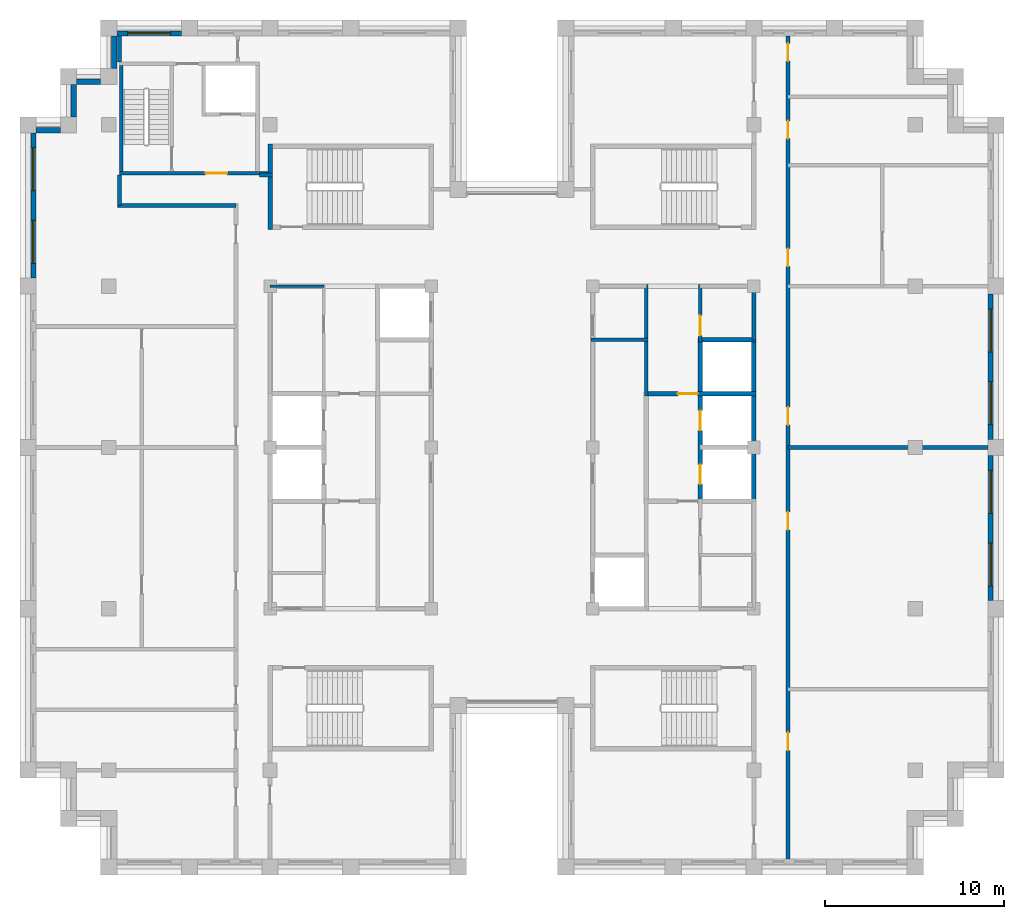
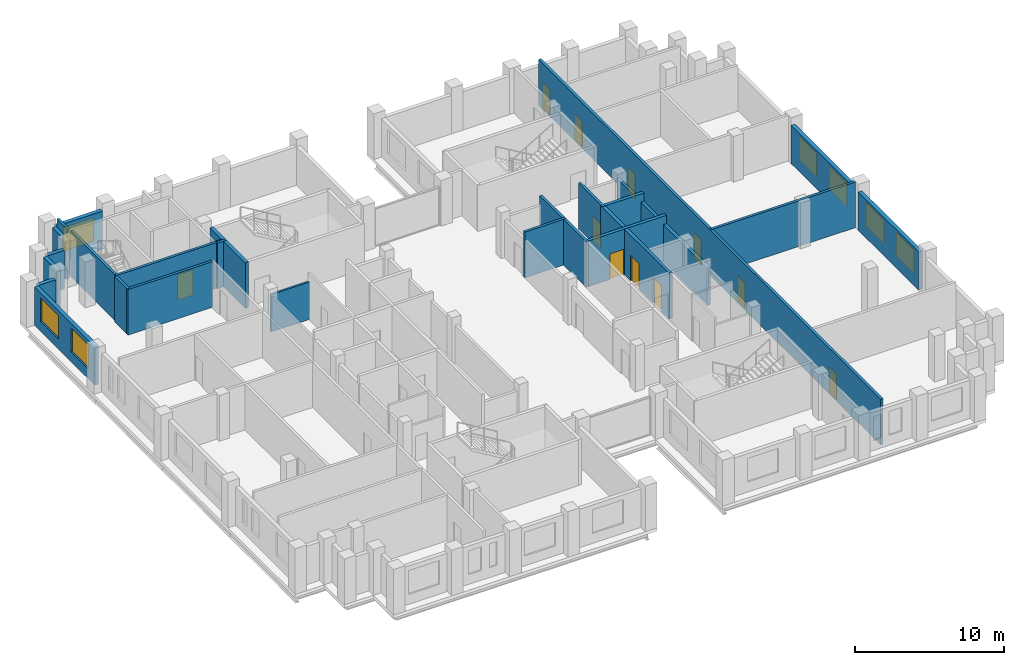
# One storey, part 9 of 13: 26 walls, 11 doors, 7 windows, 18 openings.
"""IFC4 building model written with IfcOpenShell, lengths in metres."""

from ifc_helpers import new_model, si_unit, direction, frame, frame_2d, origin, place, context, subcontext, project, spatial, rectangle, extrude, material, layer, layer_set, type_object, element, fill, save


model = new_model("IFC4")

# Units and contexts
model_context = context("Model", 3, precision=1e-05, world=origin(), true_north=direction((0.0, 1.0)))
body_context = subcontext(model_context, "Body", "Model", "MODEL_VIEW")
ifc_project = project(units=[si_unit("LENGTHUNIT", "METRE"), si_unit("AREAUNIT", "SQUARE_METRE"), si_unit("VOLUMEUNIT", "CUBIC_METRE"), si_unit("PLANEANGLEUNIT", "RADIAN"), si_unit("MASSUNIT", "GRAM", prefix="KILO")], contexts=[model_context])

# Site, building, storey
site_placement = place(None, origin())
site = spatial("IfcSite", under=ifc_project, at=site_placement, CompositionType="ELEMENT")
building_placement = place(site_placement, origin())
building = spatial("IfcBuilding", under=site, at=building_placement, Name="Corbelhall Arena Tower", CompositionType="ELEMENT")
storey_placement = place(building_placement, frame((0.0, 0.0, 304.0)))
storey = spatial("IfcBuildingStorey", under=building, at=storey_placement, Name="L66", CompositionType="ELEMENT", Elevation=304.0)

# Walls
ifc_material_1 = material(Name="Precast concrete C40/50 with granite facing", Category="masonry")
ifc_layer_1 = layer(ifc_material_1, 0.300048828125)
ifc_layer_set_1 = layer_set([ifc_layer_1], Name="EV-IW1 Infill panel 300")
wall_type_1 = type_object("IfcWallType", Name="EV-IW1 Infill panel 300", PredefinedType="SOLIDWALL", material=ifc_layer_set_1)
wall_1_placement = place(storey_placement, frame((-24.449951171875, 20.25, 0.0), z_axis=(0.0, 0.0, 1.0), x_axis=(0.0, -1.0, 0.0)))
element("IfcWall", 1, at=wall_1_placement, inside=storey, type_object=wall_type_1, Name="Infill panel IW1", PredefinedType="SOLIDWALL", context=body_context, shape_type="SweptSolid", body=[
    extrude(rectangle(XDim=1.800048828125, YDim=0.300048828125, at=frame_2d((0.89990234375, 0.0))), origin(), (0.0, 0.0, 1.0), 3.139892578125),
])
wall_2_placement = place(storey_placement, frame((-25.199951171875, 17.699951171875, 0.0), z_axis=(0.0, 0.0, 1.0), x_axis=(-1.0, 0.0, 0.0)))
element("IfcWall", 2, at=wall_2_placement, inside=storey, type_object=wall_type_1, Name="Infill panel IW1", PredefinedType="SOLIDWALL", context=body_context, shape_type="SweptSolid", body=[
    extrude(rectangle(XDim=1.35009765625, YDim=0.300048828125, at=frame_2d((0.675048828125, 0.0))), origin(), (0.0, 0.0, 1.0), 3.139892578125),
])

# Wall, openings, windows
wall_3_placement = place(storey_placement, frame((-26.699951171875, 17.550048828125, 0.0), z_axis=(0.0, 0.0, 1.0), x_axis=(0.0, -1.0, 0.0)))
wall_3 = element("IfcWall", 3, at=wall_3_placement, inside=storey, type_object=wall_type_1, Name="Infill panel IW1", PredefinedType="SOLIDWALL", context=body_context, shape_type="SweptSolid", body=[
    extrude(rectangle(XDim=8.10009765625, YDim=0.300048828125, at=frame_2d((4.050048828125, 0.0))), origin(), (0.0, 0.0, 1.0), 3.139892578125),
])
opening_1_placement = place(wall_3_placement, frame((0.824951171875, 0.0, 0.800048828125)))
opening_1 = element("IfcOpeningElement", 4, at=opening_1_placement, cuts=wall_3, Name="Opening WN1", PredefinedType="OPENING", context=body_context, shape_type="SweptSolid", body=[
    extrude(rectangle(XDim=2.39990234375, YDim=1.949951171875, at=frame_2d((1.199951171875, 0.97509765625))), frame((0.0, 0.14990234375, 0.0), z_axis=(0.0, -1.0, 0.0), x_axis=(1.0, 0.0, 0.0)), (0.0, 0.0, 1.0), 0.300048828125),
])
opening_2_placement = place(wall_3_placement, frame((4.875, 0.0, 0.800048828125)))
opening_2 = element("IfcOpeningElement", 5, at=opening_2_placement, cuts=wall_3, Name="Opening WN1", PredefinedType="OPENING", context=body_context, shape_type="SweptSolid", body=[
    extrude(rectangle(XDim=2.39990234375, YDim=1.949951171875, at=frame_2d((1.199951171875, 0.97509765625))), frame((0.0, 0.14990234375, 0.0), z_axis=(0.0, -1.0, 0.0), x_axis=(1.0, 0.0, 0.0)), (0.0, 0.0, 1.0), 0.300048828125),
])
ifc_material_2 = material(Name="Aluminium black anodised", Category="aluminium")
window_type = type_object("IfcWindowType", Name="EV-WN1 Office window", PartitioningType="SINGLE_PANEL", PredefinedType="WINDOW", material=ifc_material_2)
window_1_placement = place(opening_1_placement, origin())
window_1 = element("IfcWindow", 6, at=window_1_placement, inside=storey, type_object=window_type, Name="Window WN1", OverallHeight=1.949951171875, OverallWidth=2.39990234375, PartitioningType="SINGLE_PANEL", PredefinedType="WINDOW", context=body_context, shape_type="SweptSolid", body=[
    extrude(rectangle(XDim=2.39990234375, YDim=1.949951171875, at=frame_2d((1.199951171875, 0.97509765625))), frame((0.0, 0.030029296875, 0.0), z_axis=(0.0, -1.0, 0.0), x_axis=(1.0, 0.0, 0.0)), (0.0, 0.0, 1.0), 0.06005859375),
])
fill(opening_1, window_1)
window_2_placement = place(opening_2_placement, origin())
window_2 = element("IfcWindow", 7, at=window_2_placement, inside=storey, type_object=window_type, Name="Window WN1", OverallHeight=1.949951171875, OverallWidth=2.39990234375, PartitioningType="SINGLE_PANEL", PredefinedType="WINDOW", context=body_context, shape_type="SweptSolid", body=[
    extrude(rectangle(XDim=2.39990234375, YDim=1.949951171875, at=frame_2d((1.199951171875, 0.97509765625))), frame((0.0, 0.030029296875, 0.0), z_axis=(0.0, -1.0, 0.0), x_axis=(1.0, 0.0, 0.0)), (0.0, 0.0, 1.0), 0.06005859375),
])
fill(opening_2, window_2)

wall_4_placement = place(storey_placement, frame((26.699951171875, -8.550048828125, 0.0), z_axis=(0.0, 0.0, 1.0), x_axis=(0.0, 1.0, 0.0)))
wall_4 = element("IfcWall", 8, at=wall_4_placement, inside=storey, type_object=wall_type_1, Name="Infill panel IW1", PredefinedType="SOLIDWALL", context=body_context, shape_type="SweptSolid", body=[
    extrude(rectangle(XDim=8.10009765625, YDim=0.300048828125, at=frame_2d((4.050048828125, 0.0))), origin(), (0.0, 0.0, 1.0), 3.139892578125),
])
opening_3_placement = place(wall_4_placement, frame((0.824951171875, 0.0, 0.800048828125)))
opening_3 = element("IfcOpeningElement", 9, at=opening_3_placement, cuts=wall_4, Name="Opening WN1", PredefinedType="OPENING", context=body_context, shape_type="SweptSolid", body=[
    extrude(rectangle(XDim=2.39990234375, YDim=1.949951171875, at=frame_2d((1.199951171875, 0.97509765625))), frame((0.0, 0.14990234375, 0.0), z_axis=(0.0, -1.0, 0.0), x_axis=(1.0, 0.0, 0.0)), (0.0, 0.0, 1.0), 0.300048828125),
])
opening_4_placement = place(wall_4_placement, frame((4.875, 0.0, 0.800048828125)))
opening_4 = element("IfcOpeningElement", 10, at=opening_4_placement, cuts=wall_4, Name="Opening WN1", PredefinedType="OPENING", context=body_context, shape_type="SweptSolid", body=[
    extrude(rectangle(XDim=2.39990234375, YDim=1.949951171875, at=frame_2d((1.199951171875, 0.97509765625))), frame((0.0, 0.14990234375, 0.0), z_axis=(0.0, -1.0, 0.0), x_axis=(1.0, 0.0, 0.0)), (0.0, 0.0, 1.0), 0.300048828125),
])
window_3_placement = place(opening_3_placement, origin())
window_3 = element("IfcWindow", 11, at=window_3_placement, inside=storey, type_object=window_type, Name="Window WN1", OverallHeight=1.949951171875, OverallWidth=2.39990234375, PartitioningType="SINGLE_PANEL", PredefinedType="WINDOW", context=body_context, shape_type="SweptSolid", body=[
    extrude(rectangle(XDim=2.39990234375, YDim=1.949951171875, at=frame_2d((1.199951171875, 0.97509765625))), frame((0.0, 0.030029296875, 0.0), z_axis=(0.0, -1.0, 0.0), x_axis=(1.0, 0.0, 0.0)), (0.0, 0.0, 1.0), 0.06005859375),
])
fill(opening_3, window_3)
window_4_placement = place(opening_4_placement, origin())
window_4 = element("IfcWindow", 12, at=window_4_placement, inside=storey, type_object=window_type, Name="Window WN1", OverallHeight=1.949951171875, OverallWidth=2.39990234375, PartitioningType="SINGLE_PANEL", PredefinedType="WINDOW", context=body_context, shape_type="SweptSolid", body=[
    extrude(rectangle(XDim=2.39990234375, YDim=1.949951171875, at=frame_2d((1.199951171875, 0.97509765625))), frame((0.0, 0.030029296875, 0.0), z_axis=(0.0, -1.0, 0.0), x_axis=(1.0, 0.0, 0.0)), (0.0, 0.0, 1.0), 0.06005859375),
])
fill(opening_4, window_4)

wall_5_placement = place(storey_placement, frame((26.699951171875, 0.449951171875, 0.0), z_axis=(0.0, 0.0, 1.0), x_axis=(0.0, 1.0, 0.0)))
wall_5 = element("IfcWall", 13, at=wall_5_placement, inside=storey, type_object=wall_type_1, Name="Infill panel IW1", PredefinedType="SOLIDWALL", context=body_context, shape_type="SweptSolid", body=[
    extrude(rectangle(XDim=8.10009765625, YDim=0.300048828125, at=frame_2d((4.050048828125, 0.0))), origin(), (0.0, 0.0, 1.0), 3.139892578125),
])
opening_5_placement = place(wall_5_placement, frame((0.824951171875, 0.0, 0.800048828125)))
opening_5 = element("IfcOpeningElement", 14, at=opening_5_placement, cuts=wall_5, Name="Opening WN1", PredefinedType="OPENING", context=body_context, shape_type="SweptSolid", body=[
    extrude(rectangle(XDim=2.39990234375, YDim=1.949951171875, at=frame_2d((1.199951171875, 0.97509765625))), frame((0.0, 0.14990234375, 0.0), z_axis=(0.0, -1.0, 0.0), x_axis=(1.0, 0.0, 0.0)), (0.0, 0.0, 1.0), 0.300048828125),
])
opening_6_placement = place(wall_5_placement, frame((4.875, 0.0, 0.800048828125)))
opening_6 = element("IfcOpeningElement", 15, at=opening_6_placement, cuts=wall_5, Name="Opening WN1", PredefinedType="OPENING", context=body_context, shape_type="SweptSolid", body=[
    extrude(rectangle(XDim=2.39990234375, YDim=1.949951171875, at=frame_2d((1.199951171875, 0.97509765625))), frame((0.0, 0.14990234375, 0.0), z_axis=(0.0, -1.0, 0.0), x_axis=(1.0, 0.0, 0.0)), (0.0, 0.0, 1.0), 0.300048828125),
])
window_5_placement = place(opening_5_placement, origin())
window_5 = element("IfcWindow", 16, at=window_5_placement, inside=storey, type_object=window_type, Name="Window WN1", OverallHeight=1.949951171875, OverallWidth=2.39990234375, PartitioningType="SINGLE_PANEL", PredefinedType="WINDOW", context=body_context, shape_type="SweptSolid", body=[
    extrude(rectangle(XDim=2.39990234375, YDim=1.949951171875, at=frame_2d((1.199951171875, 0.97509765625))), frame((0.0, 0.030029296875, 0.0), z_axis=(0.0, -1.0, 0.0), x_axis=(1.0, 0.0, 0.0)), (0.0, 0.0, 1.0), 0.06005859375),
])
fill(opening_5, window_5)
window_6_placement = place(opening_6_placement, origin())
window_6 = element("IfcWindow", 17, at=window_6_placement, inside=storey, type_object=window_type, Name="Window WN1", OverallHeight=1.949951171875, OverallWidth=2.39990234375, PartitioningType="SINGLE_PANEL", PredefinedType="WINDOW", context=body_context, shape_type="SweptSolid", body=[
    extrude(rectangle(XDim=2.39990234375, YDim=1.949951171875, at=frame_2d((1.199951171875, 0.97509765625))), frame((0.0, 0.030029296875, 0.0), z_axis=(0.0, -1.0, 0.0), x_axis=(1.0, 0.0, 0.0)), (0.0, 0.0, 1.0), 0.06005859375),
])
fill(opening_6, window_6)

# Wall, opening, window
wall_6_placement = place(storey_placement, frame((-18.449951171875, 23.10009765625, 0.0), z_axis=(0.0, 0.0, 1.0), x_axis=(-1.0, 0.0, 0.0)))
wall_6 = element("IfcWall", 18, at=wall_6_placement, inside=storey, type_object=wall_type_1, Name="Infill panel IW1", PredefinedType="SOLIDWALL", context=body_context, shape_type="SweptSolid", body=[
    extrude(rectangle(XDim=3.60009765625, YDim=0.300048828125, at=frame_2d((1.800048828125, 0.0))), origin(), (0.0, 0.0, 1.0), 3.139892578125),
])
opening_7_placement = place(wall_6_placement, frame((0.60009765625, 0.0, 0.800048828125)))
opening_7 = element("IfcOpeningElement", 19, at=opening_7_placement, cuts=wall_6, Name="Opening WN1", PredefinedType="OPENING", context=body_context, shape_type="SweptSolid", body=[
    extrude(rectangle(XDim=2.39990234375, YDim=1.949951171875, at=frame_2d((1.199951171875, 0.97509765625))), frame((0.0, 0.14990234375, 0.0), z_axis=(0.0, -1.0, 0.0), x_axis=(1.0, 0.0, 0.0)), (0.0, 0.0, 1.0), 0.300048828125),
])
window_7_placement = place(opening_7_placement, origin())
window_7 = element("IfcWindow", 20, at=window_7_placement, inside=storey, type_object=window_type, Name="Window WN1", OverallHeight=1.949951171875, OverallWidth=2.39990234375, PartitioningType="SINGLE_PANEL", PredefinedType="WINDOW", context=body_context, shape_type="SweptSolid", body=[
    extrude(rectangle(XDim=2.39990234375, YDim=1.949951171875, at=frame_2d((1.199951171875, 0.97509765625))), frame((0.0, 0.030029296875, 0.0), z_axis=(0.0, -1.0, 0.0), x_axis=(1.0, 0.0, 0.0)), (0.0, 0.0, 1.0), 0.06005859375),
])
fill(opening_7, window_7)

# Walls
wall_7_placement = place(storey_placement, frame((-22.199951171875, 22.949951171875, 0.0), z_axis=(0.0, 0.0, 1.0), x_axis=(0.0, -1.0, 0.0)))
element("IfcWall", 21, at=wall_7_placement, inside=storey, type_object=wall_type_1, Name="Infill panel IW1", PredefinedType="SOLIDWALL", context=body_context, shape_type="SweptSolid", body=[
    extrude(rectangle(XDim=1.800048828125, YDim=0.300048828125, at=frame_2d((0.89990234375, 0.0))), origin(), (0.0, 0.0, 1.0), 3.139892578125),
])
wall_8_placement = place(storey_placement, frame((-22.949951171875, 20.39990234375, 0.0), z_axis=(0.0, 0.0, 1.0), x_axis=(-1.0, 0.0, 0.0)))
element("IfcWall", 22, at=wall_8_placement, inside=storey, type_object=wall_type_1, Name="Infill panel IW1", PredefinedType="SOLIDWALL", context=body_context, shape_type="SweptSolid", body=[
    extrude(rectangle(XDim=1.35009765625, YDim=0.300048828125, at=frame_2d((0.675048828125, 0.0))), origin(), (0.0, 0.0, 1.0), 3.139892578125),
])
ifc_material_3 = material(Name="Gypsum board on steel stud, acoustic", Category="steel")
ifc_layer_2 = layer(ifc_material_3, 0.199951171875)
ifc_layer_set_2 = layer_set([ifc_layer_2], Name="IN-W-DM200")
wall_type_2 = type_object("IfcWallType", Name="IN-W-DM200", PredefinedType="PARTITIONING", material=ifc_layer_set_2)
wall_9_placement = place(storey_placement, frame((-21.89990234375, 13.5, 0.0), z_axis=(0.0, 0.0, 1.0), x_axis=(0.0, 1.0, 0.0)))
element("IfcWall", 23, at=wall_9_placement, inside=storey, type_object=wall_type_2, Name="Partition 005", PredefinedType="PARTITIONING", context=body_context, shape_type="SweptSolid", body=[
    extrude(rectangle(XDim=1.699951171875, YDim=0.199951171875, at=frame_2d((0.85009765625, 0.0))), origin(), (0.0, 0.0, 1.0), 3.739990234375),
])
wall_10_placement = place(storey_placement, frame((-21.89990234375, 21.5, 0.0), z_axis=(0.0, 0.0, 1.0), x_axis=(0.0, 1.0, 0.0)))
element("IfcWall", 24, at=wall_10_placement, inside=storey, type_object=wall_type_2, Name="Partition 006", PredefinedType="PARTITIONING", context=body_context, shape_type="SweptSolid", body=[
    extrude(rectangle(XDim=1.449951171875, YDim=0.199951171875, at=frame_2d((0.72509765625, 0.0))), origin(), (0.0, 0.0, 1.0), 3.739990234375),
])
wall_11_placement = place(storey_placement, frame((-15.39990234375, 13.5, 0.0), z_axis=(0.0, 0.0, 1.0), x_axis=(-1.0, 0.0, 0.0)))
element("IfcWall", 25, at=wall_11_placement, inside=storey, type_object=wall_type_2, Name="Partition 010", PredefinedType="PARTITIONING", context=body_context, shape_type="SweptSolid", body=[
    extrude(rectangle(XDim=6.60009765625, YDim=0.199951171875, at=frame_2d((3.300048828125, 0.0))), origin(), (0.0, 0.0, 1.0), 3.739990234375),
])
wall_12_placement = place(storey_placement, frame((-14.10009765625, 15.199951171875, 0.0), z_axis=(0.0, 0.0, 1.0), x_axis=(1.0, 0.0, 0.0)))
element("IfcWall", 26, at=wall_12_placement, inside=storey, type_object=wall_type_2, Name="Partition 012", PredefinedType="PARTITIONING", context=body_context, shape_type="SweptSolid", body=[
    extrude(rectangle(XDim=0.72509765625, YDim=0.199951171875, at=frame_2d((0.362548828125, 0.0))), origin(), (0.0, 0.0, 1.0), 3.739990234375),
])

# Wall, openings, doors
wall_13_placement = place(storey_placement, frame((15.39990234375, 22.949951171875, 0.0), z_axis=(0.0, 0.0, 1.0), x_axis=(0.0, -1.0, 0.0)))
wall_13 = element("IfcWall", 27, at=wall_13_placement, inside=storey, type_object=wall_type_2, Name="Partition 021", PredefinedType="PARTITIONING", context=body_context, shape_type="SweptSolid", body=[
    extrude(rectangle(XDim=45.89990234375, YDim=0.199951171875, at=frame_2d((22.949951171875, 0.0))), origin(), (0.0, 0.0, 1.0), 3.739990234375),
])
opening_8_placement = place(wall_13_placement, frame((20.699951171875, 0.0, 0.0)))
opening_8 = element("IfcOpeningElement", 28, at=opening_8_placement, cuts=wall_13, Name="Opening 21029", PredefinedType="OPENING", context=body_context, shape_type="SweptSolid", body=[
    extrude(rectangle(XDim=1.0, YDim=2.10009765625, at=frame_2d((0.5, 1.050048828125))), frame((0.0, 0.10009765625, 0.0), z_axis=(0.0, -1.0, 0.0), x_axis=(1.0, 0.0, 0.0)), (0.0, 0.0, 1.0), 0.199951171875),
])
opening_9_placement = place(wall_13_placement, frame((11.85009765625, 0.0, 0.0)))
opening_9 = element("IfcOpeningElement", 29, at=opening_9_placement, cuts=wall_13, Name="Opening 21030", PredefinedType="OPENING", context=body_context, shape_type="SweptSolid", body=[
    extrude(rectangle(XDim=1.0, YDim=2.10009765625, at=frame_2d((0.5, 1.050048828125))), frame((0.0, 0.10009765625, 0.0), z_axis=(0.0, -1.0, 0.0), x_axis=(1.0, 0.0, 0.0)), (0.0, 0.0, 1.0), 0.199951171875),
])
opening_10_placement = place(wall_13_placement, frame((4.72509765625, 0.0, 0.0)))
opening_10 = element("IfcOpeningElement", 30, at=opening_10_placement, cuts=wall_13, Name="Opening 21032", PredefinedType="OPENING", context=body_context, shape_type="SweptSolid", body=[
    extrude(rectangle(XDim=1.0, YDim=2.10009765625, at=frame_2d((0.5, 1.050048828125))), frame((0.0, 0.10009765625, 0.0), z_axis=(0.0, -1.0, 0.0), x_axis=(1.0, 0.0, 0.0)), (0.0, 0.0, 1.0), 0.199951171875),
])
opening_11_placement = place(wall_13_placement, frame((0.39990234375, 0.0, 0.0)))
opening_11 = element("IfcOpeningElement", 31, at=opening_11_placement, cuts=wall_13, Name="Opening 21033", PredefinedType="OPENING", context=body_context, shape_type="SweptSolid", body=[
    extrude(rectangle(XDim=1.0, YDim=2.10009765625, at=frame_2d((0.5, 1.050048828125))), frame((0.0, 0.10009765625, 0.0), z_axis=(0.0, -1.0, 0.0), x_axis=(1.0, 0.0, 0.0)), (0.0, 0.0, 1.0), 0.199951171875),
])
opening_12_placement = place(wall_13_placement, frame((38.85009765625, 0.0, 0.0)))
opening_12 = element("IfcOpeningElement", 32, at=opening_12_placement, cuts=wall_13, Name="Opening 21034", PredefinedType="OPENING", context=body_context, shape_type="SweptSolid", body=[
    extrude(rectangle(XDim=1.0, YDim=2.10009765625, at=frame_2d((0.5, 1.050048828125))), frame((0.0, 0.10009765625, 0.0), z_axis=(0.0, -1.0, 0.0), x_axis=(1.0, 0.0, 0.0)), (0.0, 0.0, 1.0), 0.199951171875),
])
opening_13_placement = place(wall_13_placement, frame((26.550048828125, 0.0, 0.0)))
opening_13 = element("IfcOpeningElement", 33, at=opening_13_placement, cuts=wall_13, Name="Opening 21035", PredefinedType="OPENING", context=body_context, shape_type="SweptSolid", body=[
    extrude(rectangle(XDim=1.0, YDim=2.10009765625, at=frame_2d((0.5, 1.050048828125))), frame((0.0, 0.10009765625, 0.0), z_axis=(0.0, -1.0, 0.0), x_axis=(1.0, 0.0, 0.0)), (0.0, 0.0, 1.0), 0.199951171875),
])
ifc_material_4 = material(Name="Steel door set", Category="steel")
door_type_1 = type_object("IfcDoorType", Name="IN-D-SW100", OperationType="NOTDEFINED", PredefinedType="DOOR", material=ifc_material_4)
door_1_placement = place(opening_8_placement, origin())
door_1 = element("IfcDoor", 34, at=door_1_placement, inside=storey, type_object=door_type_1, Name="Door 029", OperationType="SINGLE_SWING_RIGHT", OverallHeight=2.10009765625, OverallWidth=1.0, PredefinedType="DOOR", context=body_context, shape_type="SweptSolid", body=[
    extrude(rectangle(XDim=1.0, YDim=2.10009765625, at=frame_2d((0.5, 1.050048828125))), frame((0.0, 0.02490234375, 0.0), z_axis=(0.0, -1.0, 0.0), x_axis=(1.0, 0.0, 0.0)), (0.0, 0.0, 1.0), 0.050048828125),
])
fill(opening_8, door_1)
door_2_placement = place(opening_9_placement, origin())
door_2 = element("IfcDoor", 35, at=door_2_placement, inside=storey, type_object=door_type_1, Name="Door 030", OperationType="SINGLE_SWING_LEFT", OverallHeight=2.10009765625, OverallWidth=1.0, PredefinedType="DOOR", context=body_context, shape_type="SweptSolid", body=[
    extrude(rectangle(XDim=1.0, YDim=2.10009765625, at=frame_2d((0.5, 1.050048828125))), frame((0.0, 0.02490234375, 0.0), z_axis=(0.0, -1.0, 0.0), x_axis=(1.0, 0.0, 0.0)), (0.0, 0.0, 1.0), 0.050048828125),
])
fill(opening_9, door_2)
door_3_placement = place(opening_10_placement, origin())
door_3 = element("IfcDoor", 36, at=door_3_placement, inside=storey, type_object=door_type_1, Name="Door 032", OperationType="SINGLE_SWING_LEFT", OverallHeight=2.10009765625, OverallWidth=1.0, PredefinedType="DOOR", context=body_context, shape_type="SweptSolid", body=[
    extrude(rectangle(XDim=1.0, YDim=2.10009765625, at=frame_2d((0.5, 1.050048828125))), frame((0.0, 0.02490234375, 0.0), z_axis=(0.0, -1.0, 0.0), x_axis=(1.0, 0.0, 0.0)), (0.0, 0.0, 1.0), 0.050048828125),
])
fill(opening_10, door_3)
door_4_placement = place(opening_11_placement, origin())
door_4 = element("IfcDoor", 37, at=door_4_placement, inside=storey, type_object=door_type_1, Name="Door 033", OperationType="SINGLE_SWING_RIGHT", OverallHeight=2.10009765625, OverallWidth=1.0, PredefinedType="DOOR", context=body_context, shape_type="SweptSolid", body=[
    extrude(rectangle(XDim=1.0, YDim=2.10009765625, at=frame_2d((0.5, 1.050048828125))), frame((0.0, 0.02490234375, 0.0), z_axis=(0.0, -1.0, 0.0), x_axis=(1.0, 0.0, 0.0)), (0.0, 0.0, 1.0), 0.050048828125),
])
fill(opening_11, door_4)
door_5_placement = place(opening_12_placement, origin())
door_5 = element("IfcDoor", 38, at=door_5_placement, inside=storey, type_object=door_type_1, Name="Door 034", OperationType="SINGLE_SWING_LEFT", OverallHeight=2.10009765625, OverallWidth=1.0, PredefinedType="DOOR", context=body_context, shape_type="SweptSolid", body=[
    extrude(rectangle(XDim=1.0, YDim=2.10009765625, at=frame_2d((0.5, 1.050048828125))), frame((0.0, 0.02490234375, 0.0), z_axis=(0.0, -1.0, 0.0), x_axis=(1.0, 0.0, 0.0)), (0.0, 0.0, 1.0), 0.050048828125),
])
fill(opening_12, door_5)
door_6_placement = place(opening_13_placement, origin())
door_6 = element("IfcDoor", 39, at=door_6_placement, inside=storey, type_object=door_type_1, Name="Door 035", OperationType="SINGLE_SWING_RIGHT", OverallHeight=2.10009765625, OverallWidth=1.0, PredefinedType="DOOR", context=body_context, shape_type="SweptSolid", body=[
    extrude(rectangle(XDim=1.0, YDim=2.10009765625, at=frame_2d((0.5, 1.050048828125))), frame((0.0, 0.02490234375, 0.0), z_axis=(0.0, -1.0, 0.0), x_axis=(1.0, 0.0, 0.0)), (0.0, 0.0, 1.0), 0.050048828125),
])
fill(opening_13, door_6)

# Wall
wall_14_placement = place(storey_placement, frame((26.550048828125, 0.0, 0.0), z_axis=(0.0, 0.0, 1.0), x_axis=(-1.0, 0.0, 0.0)))
element("IfcWall", 40, at=wall_14_placement, inside=storey, type_object=wall_type_2, Name="Partition 026", PredefinedType="PARTITIONING", context=body_context, shape_type="SweptSolid", body=[
    extrude(rectangle(XDim=11.150146484375, YDim=0.199951171875, at=frame_2d((5.5751953125, 0.0))), origin(), (0.0, 0.0, 1.0), 3.739990234375),
])

# Wall, opening, door
ifc_material_5 = material(Name="Concrete C40/50", Category="concrete")
ifc_layer_3 = layer(ifc_material_5, 0.199951171875)
ifc_layer_set_3 = layer_set([ifc_layer_3], Name="IN-W-EAR200")
wall_type_3 = type_object("IfcWallType", Name="IN-W-EAR200", PredefinedType="SOLIDWALL", material=ifc_layer_set_3)
wall_15_placement = place(storey_placement, frame((-21.89990234375, 15.300048828125, 0.0), z_axis=(0.0, 0.0, 1.0), x_axis=(1.0, 0.0, 0.0)))
wall_15 = element("IfcWall", 41, at=wall_15_placement, inside=storey, type_object=wall_type_3, Name="Fire service turret wall south", PredefinedType="SOLIDWALL", context=body_context, shape_type="SweptSolid", body=[
    extrude(rectangle(XDim=8.27490234375, YDim=0.199951171875, at=frame_2d((4.137451171875, 0.0))), origin(), (0.0, 0.0, 1.0), 3.739990234375),
])
opening_14_placement = place(wall_15_placement, frame((4.800048828125, 0.0, 0.0)))
opening_14 = element("IfcOpeningElement", 42, at=opening_14_placement, cuts=wall_15, Name="Opening E212", PredefinedType="OPENING", context=body_context, shape_type="SweptSolid", body=[
    extrude(rectangle(XDim=1.199951171875, YDim=2.10009765625, at=frame_2d((0.60009765625, 1.050048828125))), frame((0.0, 0.10009765625, 0.0), z_axis=(0.0, -1.0, 0.0), x_axis=(1.0, 0.0, 0.0)), (0.0, 0.0, 1.0), 0.199951171875),
])
door_type_2 = type_object("IfcDoorType", Name="IN-D-ST120", OperationType="NOTDEFINED", PredefinedType="DOOR", material=ifc_material_4)
door_7_placement = place(opening_14_placement, origin())
door_7 = element("IfcDoor", 43, at=door_7_placement, inside=storey, type_object=door_type_2, Name="Door from fire service lift lobby to circulation", OperationType="SINGLE_SWING_RIGHT", OverallHeight=2.10009765625, OverallWidth=1.199951171875, PredefinedType="DOOR", context=body_context, shape_type="SweptSolid", body=[
    extrude(rectangle(XDim=1.199951171875, YDim=2.10009765625, at=frame_2d((0.60009765625, 1.050048828125))), frame((0.0, 0.02490234375, 0.0), z_axis=(0.0, -1.0, 0.0), x_axis=(1.0, 0.0, 0.0)), (0.0, 0.0, 1.0), 0.050048828125),
])
fill(opening_14, door_7)

# Walls
wall_16_placement = place(storey_placement, frame((-21.800048828125, 15.39990234375, 0.0), z_axis=(0.0, 0.0, 1.0), x_axis=(0.0, 1.0, 0.0)))
element("IfcWall", 44, at=wall_16_placement, inside=storey, type_object=wall_type_3, Name="Fire service turret wall west", PredefinedType="SOLIDWALL", context=body_context, shape_type="SweptSolid", body=[
    extrude(rectangle(XDim=5.900146484375, YDim=0.199951171875, at=frame_2d((2.9501953125, 0.0))), origin(), (0.0, 0.0, 1.0), 3.739990234375),
])
ifc_material_6 = material(Name="Concrete block wall", Category="concrete")
ifc_layer_4 = layer(ifc_material_6, 0.199951171875)
ifc_layer_set_4 = layer_set([ifc_layer_4], Name="IN-W-RS200")
wall_type_4 = type_object("IfcWallType", Name="IN-W-RS200", PredefinedType="SOLIDWALL", material=ifc_layer_set_4)
wall_17_placement = place(storey_placement, frame((4.39990234375, 6.0, 0.0), z_axis=(0.0, 0.0, 1.0), x_axis=(1.0, 0.0, 0.0)))
element("IfcWall", 45, at=wall_17_placement, inside=storey, type_object=wall_type_4, Name="Partition 034", PredefinedType="SOLIDWALL", context=body_context, shape_type="SweptSolid", body=[
    extrude(rectangle(XDim=3.2001953125, YDim=0.199951171875, at=frame_2d((1.60009765625, 0.0))), origin(), (0.0, 0.0, 1.0), 3.739990234375),
])
wall_18_placement = place(storey_placement, frame((7.5, 9.10009765625, 0.0), z_axis=(0.0, 0.0, 1.0), x_axis=(0.0, -1.0, 0.0)))
element("IfcWall", 46, at=wall_18_placement, inside=storey, type_object=wall_type_4, Name="Partition 038", PredefinedType="SOLIDWALL", context=body_context, shape_type="SweptSolid", body=[
    extrude(rectangle(XDim=6.22509765625, YDim=0.199951171875, at=frame_2d((3.112548828125, 0.0))), origin(), (0.0, 0.0, 1.0), 3.739990234375),
])

# Wall, opening, door
wall_19_placement = place(storey_placement, frame((10.5, 9.10009765625, 0.0), z_axis=(0.0, 0.0, 1.0), x_axis=(0.0, -1.0, 0.0)))
wall_19 = element("IfcWall", 47, at=wall_19_placement, inside=storey, type_object=wall_type_4, Name="Partition 041", PredefinedType="SOLIDWALL", context=body_context, shape_type="SweptSolid", body=[
    extrude(rectangle(XDim=3.22509765625, YDim=0.199951171875, at=frame_2d((1.612548828125, 0.0))), origin(), (0.0, 0.0, 1.0), 3.739990234375),
])
opening_15_placement = place(wall_19_placement, frame((1.75, 0.0, 0.0)))
opening_15 = element("IfcOpeningElement", 48, at=opening_15_placement, cuts=wall_19, Name="Opening 21013", PredefinedType="OPENING", context=body_context, shape_type="SweptSolid", body=[
    extrude(rectangle(XDim=1.10009765625, YDim=2.10009765625, at=frame_2d((0.550048828125, 1.050048828125))), frame((0.0, 0.10009765625, 0.0), z_axis=(0.0, -1.0, 0.0), x_axis=(1.0, 0.0, 0.0)), (0.0, 0.0, 1.0), 0.199951171875),
])
door_type_3 = type_object("IfcDoorType", Name="IN-D-FD110", OperationType="NOTDEFINED", PredefinedType="DOOR", material=ifc_material_4)
door_8_placement = place(opening_15_placement, origin())
door_8 = element("IfcDoor", 49, at=door_8_placement, inside=storey, type_object=door_type_3, Name="Door 013", OperationType="SINGLE_SWING_RIGHT", OverallHeight=2.10009765625, OverallWidth=1.10009765625, PredefinedType="DOOR", context=body_context, shape_type="SweptSolid", body=[
    extrude(rectangle(XDim=1.10009765625, YDim=2.10009765625, at=frame_2d((0.550048828125, 1.050048828125))), frame((0.0, 0.02490234375, 0.0), z_axis=(0.0, -1.0, 0.0), x_axis=(1.0, 0.0, 0.0)), (0.0, 0.0, 1.0), 0.050048828125),
])
fill(opening_15, door_8)

# Wall
ifc_layer_5 = layer(ifc_material_6, 0.199951171875)
ifc_layer_set_5 = layer_set([ifc_layer_5], Name="IN-W-RS200 under beam 678 mm")
wall_type_5 = type_object("IfcWallType", Name="IN-W-RS200 under beam 678 mm", PredefinedType="SOLIDWALL", material=ifc_layer_set_5)
wall_20_placement = place(storey_placement, frame((13.5, 9.10009765625, 0.0), z_axis=(0.0, 0.0, 1.0), x_axis=(0.0, -1.0, 0.0)))
element("IfcWall", 50, at=wall_20_placement, inside=storey, type_object=wall_type_5, Name="Partition 043", PredefinedType="SOLIDWALL", context=body_context, shape_type="SweptSolid", body=[
    extrude(rectangle(XDim=3.10009765625, YDim=0.199951171875, at=frame_2d((1.550048828125, 0.0))), origin(), (0.0, 0.0, 1.0), 3.061767578125),
])

# Wall, opening, door
ifc_layer_6 = layer(ifc_material_5, 0.25)
ifc_layer_set_6 = layer_set([ifc_layer_6], Name="IN-W-SH250")
wall_type_6 = type_object("IfcWallType", Name="IN-W-SH250", PredefinedType="SOLIDWALL", material=ifc_layer_set_6)
wall_21_placement = place(storey_placement, frame((7.5, 3.0, 0.0), z_axis=(0.0, 0.0, 1.0), x_axis=(1.0, 0.0, 0.0)))
wall_21 = element("IfcWall", 51, at=wall_21_placement, inside=storey, type_object=wall_type_6, Name="Shaft wall 059", PredefinedType="SOLIDWALL", context=body_context, shape_type="SweptSolid", body=[
    extrude(rectangle(XDim=6.125, YDim=0.25, at=frame_2d((3.0625, 0.0))), origin(), (0.0, 0.0, 1.0), 3.739990234375),
])
opening_16_placement = place(wall_21_placement, frame((1.75, 0.0, 0.0)))
opening_16 = element("IfcOpeningElement", 52, at=opening_16_placement, cuts=wall_21, Name="Opening 21011", PredefinedType="OPENING", context=body_context, shape_type="SweptSolid", body=[
    extrude(rectangle(XDim=1.10009765625, YDim=2.10009765625, at=frame_2d((0.550048828125, 1.050048828125))), frame((0.0, 0.125, 0.0), z_axis=(0.0, -1.0, 0.0), x_axis=(1.0, 0.0, 0.0)), (0.0, 0.0, 1.0), 0.25),
])
door_9_placement = place(opening_16_placement, origin())
door_9 = element("IfcDoor", 53, at=door_9_placement, inside=storey, type_object=door_type_3, Name="Door 011", OperationType="SINGLE_SWING_RIGHT", OverallHeight=2.10009765625, OverallWidth=1.10009765625, PredefinedType="DOOR", context=body_context, shape_type="SweptSolid", body=[
    extrude(rectangle(XDim=1.10009765625, YDim=2.10009765625, at=frame_2d((0.550048828125, 1.050048828125))), frame((0.0, 0.02490234375, 0.0), z_axis=(0.0, -1.0, 0.0), x_axis=(1.0, 0.0, 0.0)), (0.0, 0.0, 1.0), 0.050048828125),
])
fill(opening_16, door_9)

# Wall, openings, doors
wall_22_placement = place(storey_placement, frame((10.5, 6.125, 0.0), z_axis=(0.0, 0.0, 1.0), x_axis=(0.0, -1.0, 0.0)))
wall_22 = element("IfcWall", 54, at=wall_22_placement, inside=storey, type_object=wall_type_6, Name="Shaft wall 062", PredefinedType="SOLIDWALL", context=body_context, shape_type="SweptSolid", body=[
    extrude(rectangle(XDim=9.25, YDim=0.25, at=frame_2d((4.625, 0.0))), origin(), (0.0, 0.0, 1.0), 3.739990234375),
])
opening_17_placement = place(wall_22_placement, frame((7.074951171875, 0.0, 0.0)))
opening_17 = element("IfcOpeningElement", 55, at=opening_17_placement, cuts=wall_22, Name="Opening LD", PredefinedType="OPENING", context=body_context, shape_type="SweptSolid", body=[
    extrude(rectangle(XDim=1.10009765625, YDim=2.10009765625, at=frame_2d((0.550048828125, 1.050048828125))), frame((0.0, 0.125, 0.0), z_axis=(0.0, -1.0, 0.0), x_axis=(1.0, 0.0, 0.0)), (0.0, 0.0, 1.0), 0.25),
])
opening_18_placement = place(wall_22_placement, frame((4.074951171875, 0.0, 0.0)))
opening_18 = element("IfcOpeningElement", 56, at=opening_18_placement, cuts=wall_22, Name="Opening LD", PredefinedType="OPENING", context=body_context, shape_type="SweptSolid", body=[
    extrude(rectangle(XDim=1.10009765625, YDim=2.10009765625, at=frame_2d((0.550048828125, 1.050048828125))), frame((0.0, 0.125, 0.0), z_axis=(0.0, -1.0, 0.0), x_axis=(1.0, 0.0, 0.0)), (0.0, 0.0, 1.0), 0.25),
])
door_type_4 = type_object("IfcDoorType", Name="IN-D-LD110", OperationType="NOTDEFINED", PredefinedType="DOOR", material=ifc_material_4)
door_10_placement = place(opening_17_placement, origin())
door_10 = element("IfcDoor", 57, at=door_10_placement, inside=storey, type_object=door_type_4, Name="Landing door E3", OperationType="SLIDING_TO_LEFT", OverallHeight=2.10009765625, OverallWidth=1.10009765625, PredefinedType="DOOR", context=body_context, shape_type="SweptSolid", body=[
    extrude(rectangle(XDim=1.10009765625, YDim=2.10009765625, at=frame_2d((0.550048828125, 1.050048828125))), frame((0.0, 0.02490234375, 0.0), z_axis=(0.0, -1.0, 0.0), x_axis=(1.0, 0.0, 0.0)), (0.0, 0.0, 1.0), 0.050048828125),
])
fill(opening_17, door_10)
door_11_placement = place(opening_18_placement, origin())
door_11 = element("IfcDoor", 58, at=door_11_placement, inside=storey, type_object=door_type_4, Name="Landing door E4", OperationType="SLIDING_TO_LEFT", OverallHeight=2.10009765625, OverallWidth=1.10009765625, PredefinedType="DOOR", context=body_context, shape_type="SweptSolid", body=[
    extrude(rectangle(XDim=1.10009765625, YDim=2.10009765625, at=frame_2d((0.550048828125, 1.050048828125))), frame((0.0, 0.02490234375, 0.0), z_axis=(0.0, -1.0, 0.0), x_axis=(1.0, 0.0, 0.0)), (0.0, 0.0, 1.0), 0.050048828125),
])
fill(opening_18, door_11)

# Walls
wall_23_placement = place(storey_placement, frame((10.5, 6.0, 0.0), z_axis=(0.0, 0.0, 1.0), x_axis=(1.0, 0.0, 0.0)))
element("IfcWall", 59, at=wall_23_placement, inside=storey, type_object=wall_type_6, Name="Shaft wall 063", PredefinedType="SOLIDWALL", context=body_context, shape_type="SweptSolid", body=[
    extrude(rectangle(XDim=3.125, YDim=0.25, at=frame_2d((1.5625, 0.0))), origin(), (0.0, 0.0, 1.0), 3.739990234375),
])
ifc_layer_7 = layer(ifc_material_5, 0.25)
ifc_layer_set_7 = layer_set([ifc_layer_7], Name="IN-W-SH250 under beam 678 mm")
wall_type_7 = type_object("IfcWallType", Name="IN-W-SH250 under beam 678 mm", PredefinedType="SOLIDWALL", material=ifc_layer_set_7)
wall_24_placement = place(storey_placement, frame((13.5, 6.0, 0.0), z_axis=(0.0, 0.0, 1.0), x_axis=(0.0, -1.0, 0.0)))
element("IfcWall", 60, at=wall_24_placement, inside=storey, type_object=wall_type_7, Name="Shaft wall 064", PredefinedType="SOLIDWALL", context=body_context, shape_type="SweptSolid", body=[
    extrude(rectangle(XDim=9.0, YDim=0.25, at=frame_2d((4.5, 0.0))), origin(), (0.0, 0.0, 1.0), 3.061767578125),
])
ifc_layer_8 = layer(ifc_material_5, 0.25)
ifc_layer_set_8 = layer_set([ifc_layer_8], Name="IN-W-ST250")
wall_type_8 = type_object("IfcWallType", Name="IN-W-ST250", PredefinedType="SOLIDWALL", material=ifc_layer_set_8)
wall_25_placement = place(storey_placement, frame((-13.5, 12.175048828125, 0.0), z_axis=(0.0, 0.0, 1.0), x_axis=(0.0, 1.0, 0.0)))
element("IfcWall", 61, at=wall_25_placement, inside=storey, type_object=wall_type_8, Name="Shaft wall 067", PredefinedType="SOLIDWALL", context=body_context, shape_type="SweptSolid", body=[
    extrude(rectangle(XDim=4.75, YDim=0.25, at=frame_2d((2.375, 0.0))), origin(), (0.0, 0.0, 1.0), 3.739990234375),
])
ifc_material_7 = material(Name="Gypsum board on steel stud, moisture resistant", Category="steel")
ifc_layer_9 = layer(ifc_material_7, 0.14990234375)
ifc_layer_set_9 = layer_set([ifc_layer_9], Name="IN-W-WC150 under beam 678 mm")
wall_type_9 = type_object("IfcWallType", Name="IN-W-WC150 under beam 678 mm", PredefinedType="PARTITIONING", material=ifc_layer_set_9)
wall_26_placement = place(storey_placement, frame((-13.5, 9.0, 0.0), z_axis=(0.0, 0.0, 1.0), x_axis=(1.0, 0.0, 0.0)))
element("IfcWall", 62, at=wall_26_placement, inside=storey, type_object=wall_type_9, Name="Partition 084", PredefinedType="PARTITIONING", context=body_context, shape_type="SweptSolid", body=[
    extrude(rectangle(XDim=3.0, YDim=0.14990234375, at=frame_2d((1.5, 0.0))), origin(), (0.0, 0.0, 1.0), 3.061767578125),
])

save(model, "model.ifc")
